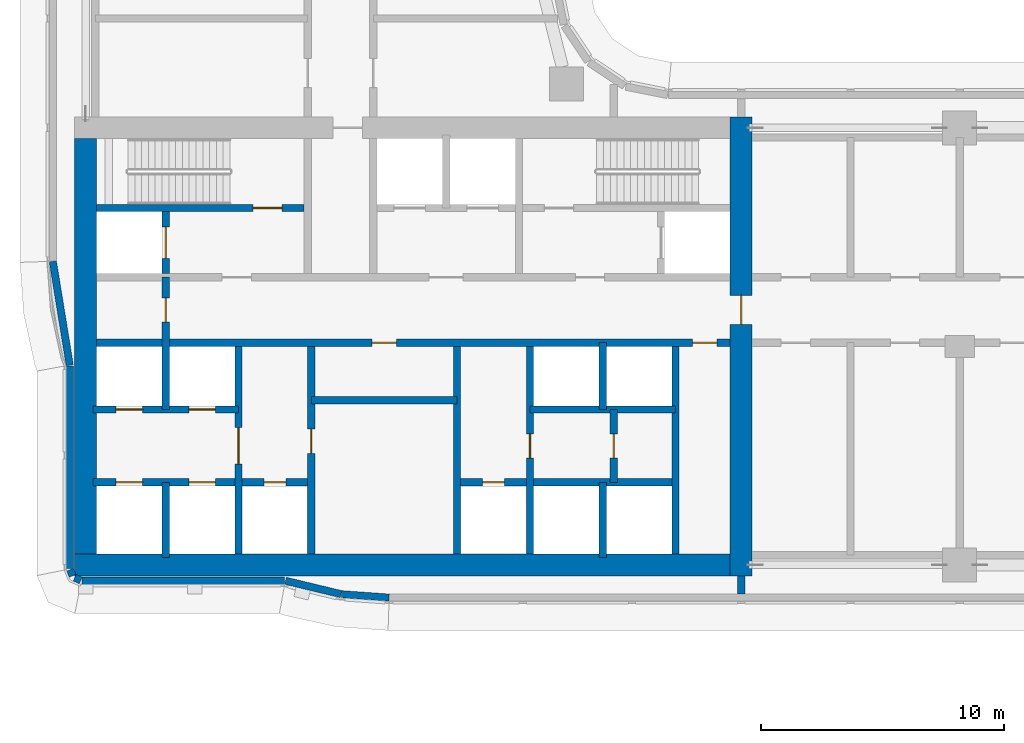
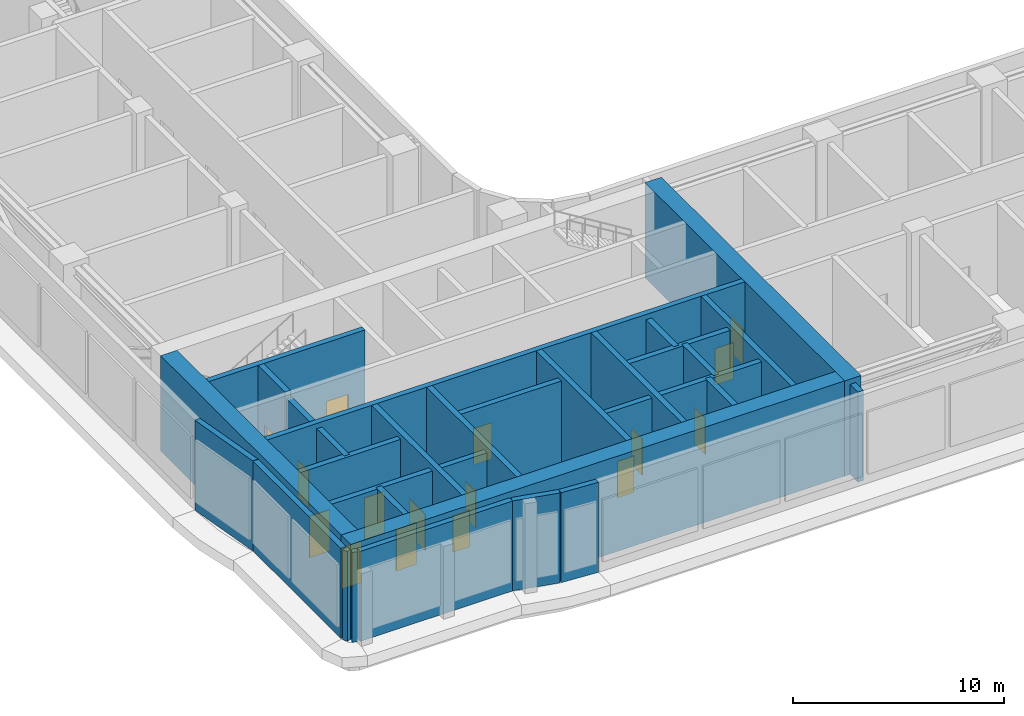
# One storey, part 3 of 23: 29 walls, 16 doors, 16 openings.
"""IFC4 building model written with IfcOpenShell, lengths in metres."""

import ifcopenshell
import ifcopenshell.guid

model = None  # the IFC model being written
_history = None  # IfcOwnerHistory: only IFC2X3 demands one
_inside = {}  # id of a spatial element -> (the spatial element, [elements in it])
_under = {}  # id of a project, library or spatial element -> (it, [spatial elements below it])
_declared = {}  # id of a project -> (the project, [libraries it declares])
_typed = {}  # id of a type object -> (the type object, [elements of that type])
_made_of = {}  # id of a material, layer set ... -> (it, [elements and type objects made of it])


def new_model(schema):
    """Start an empty IFC model of exactly this schema.

    Asked for "IFC4X3", IfcOpenShell would pick the latest addendum, in which some entities
    have other attributes; the version numbers below select the first issue.
    IFC2X3 requires an IfcOwnerHistory on every rooted entity: one is made here for all.
    """
    global model, _history
    if schema == "IFC4X3":
        model = ifcopenshell.file(schema_version=(4, 3, 0, 0))
    else:
        model = ifcopenshell.file(schema=schema)
    _inside.clear()
    _under.clear()
    _declared.clear()
    _typed.clear()
    _made_of.clear()
    _history = None
    if model.schema == "IFC2X3":
        org = make("IfcOrganization", Name="unknown")
        user = make(
            "IfcPersonAndOrganization",
            ThePerson=make("IfcPerson", FamilyName="unknown"),
            TheOrganization=org,
        )
        app = make(
            "IfcApplication",
            ApplicationDeveloper=org,
            Version="unknown",
            ApplicationFullName="unknown",
            ApplicationIdentifier="unknown",
        )
        _history = make(
            "IfcOwnerHistory",
            OwningUser=user,
            OwningApplication=app,
            ChangeAction="ADDED",
            CreationDate=0,
        )
    return model


def make(cls, **values):
    """One entity of the class cls with the attributes given. An attribute that is None is left unset."""
    return model.create_entity(
        cls, **{name: value for name, value in values.items() if value is not None}
    )


def rooted(cls, **values):
    """An entity with a GlobalId (a new one), such as an element, a storey or a relation."""
    return make(cls, GlobalId=ifcopenshell.guid.new(), OwnerHistory=_history, **values)


def si_unit(unit_type, name, prefix=None):
    """IfcSIUnit, for example si_unit("LENGTHUNIT", "METRE", prefix="MILLI")."""
    return make("IfcSIUnit", UnitType=unit_type, Prefix=prefix, Name=name)


def assignment(units):
    """IfcUnitAssignment: the units of a project."""
    return None if units is None else make("IfcUnitAssignment", Units=units)


def point(xyz):
    """IfcCartesianPoint."""
    return None if xyz is None else make("IfcCartesianPoint", Coordinates=xyz)


def direction(xyz):
    """IfcDirection."""
    return None if xyz is None else make("IfcDirection", DirectionRatios=xyz)


def frame(location, z_axis=None, x_axis=None):
    """IfcAxis2Placement3D, a coordinate frame: its origin and axes. An axis left out is left unset."""
    return make(
        "IfcAxis2Placement3D",
        Location=point(location),
        Axis=direction(z_axis),
        RefDirection=direction(x_axis),
    )


def frame_2d(location, x_axis=None):
    """IfcAxis2Placement2D, a coordinate frame in the plane: its origin and x axis."""
    return make(
        "IfcAxis2Placement2D", Location=point(location), RefDirection=direction(x_axis)
    )


def origin():
    """The frame at (0, 0, 0) with its axes left unset."""
    return frame((0.0, 0.0, 0.0))


def place(relative_to, where):
    """IfcLocalPlacement: puts the frame where relative to a parent placement (None: the world)."""
    return make(
        "IfcLocalPlacement", PlacementRelTo=relative_to, RelativePlacement=where
    )


def context(
    kind, dimensions, precision=None, world=None, true_north=None, identifier=None
):
    """IfcGeometricRepresentationContext, for example the 3D "Model" context."""
    return make(
        "IfcGeometricRepresentationContext",
        ContextIdentifier=identifier,
        ContextType=kind,
        CoordinateSpaceDimension=dimensions,
        Precision=precision,
        WorldCoordinateSystem=world,
        TrueNorth=true_north,
    )


def subcontext(parent, identifier, kind, view, scale=None):
    """IfcGeometricRepresentationSubContext, for example "Body" below "Model"."""
    return make(
        "IfcGeometricRepresentationSubContext",
        ContextIdentifier=identifier,
        ContextType=kind,
        ParentContext=parent,
        TargetScale=scale,
        TargetView=view,
    )


def project(units=None, contexts=None):
    """IfcProject with its units and contexts."""
    return rooted(
        "IfcProject",
        Name="project",
        RepresentationContexts=contexts,
        UnitsInContext=assignment(units),
    )


def spatial(cls, under=None, at=None, **own):
    """A site, building, storey or space (cls), placed at a placement, below another one or the project."""
    s = rooted(cls, ObjectPlacement=at, **own)
    if under is not None:
        _under.setdefault(under.id(), (under, []))[1].append(s)
    return s


def profile(cls, at=None, kind="AREA", **sizes):
    """A parametric profile (cls). Its sizes go by their IFC names, for example OverallWidth=200.0."""
    return make(cls, ProfileType=kind, Position=at, **sizes)


def rectangle(**sizes):
    """IfcRectangleProfileDef."""
    return profile("IfcRectangleProfileDef", **sizes)


def extrude(swept, where, along, depth):
    """IfcExtrudedAreaSolid: the profile swept, set in the frame where, extruded along a direction by depth."""
    return make(
        "IfcExtrudedAreaSolid",
        SweptArea=swept,
        Position=where,
        ExtrudedDirection=direction(along),
        Depth=depth,
    )


def shape(context_of_items, identifier, shape_type, items):
    """IfcShapeRepresentation: the items that make up one representation, for example the "Body"."""
    return make(
        "IfcShapeRepresentation",
        ContextOfItems=context_of_items,
        RepresentationIdentifier=identifier,
        RepresentationType=shape_type,
        Items=items,
    )


def material(Name=None, Category=None):
    """IfcMaterial."""
    return make("IfcMaterial", Name=Name, Category=Category)


def layer(
    of_material, thickness, ventilated=None, Name=None, Category=None, Priority=None
):
    """IfcMaterialLayer: one layer of a wall or slab, of a material (None: an air gap)."""
    return make(
        "IfcMaterialLayer",
        Material=of_material,
        LayerThickness=thickness,
        IsVentilated=ventilated,
        Name=Name,
        Category=Category,
        Priority=Priority,
    )


def layer_set(layers, Name=None):
    """IfcMaterialLayerSet."""
    return make("IfcMaterialLayerSet", MaterialLayers=layers, LayerSetName=Name)


def made_of(thing, what):
    """Note that an element or type object is made of a material, layer set ...; save() writes the relation."""
    if what is not None:
        _made_of.setdefault(what.id(), (what, []))[1].append(thing)
    return thing


def type_object(cls, material=None, **own):
    """A type object (cls), such as IfcWallType, which elements share."""
    return made_of(rooted(cls, **own), material)


def element(
    cls,
    number,
    at=None,
    inside=None,
    cuts=None,
    type_object=None,
    material=None,
    context=None,
    identifier="Body",
    shape_type=None,
    held_by="IfcProductDefinitionShape",
    body=None,
    shapes=None,
    **own,
):
    """One element of the class cls, such as IfcWall. Its Tag is "e" and its number.

    at: its placement. inside: the storey or other place that contains it. cuts: it is an
    opening in that element (IfcRelVoidsElement). A single representation is given by context,
    identifier, shape_type and body (its items); several are given by shapes. held_by: the class
    of the entity that holds the representations. save() writes the other relations.
    """
    e = rooted(cls, Tag="e%d" % number, ObjectPlacement=at, **own)
    if body is not None:
        shapes = [shape(context, identifier, shape_type, body)]
    if shapes is not None:
        e.Representation = make(held_by, Representations=shapes)
    if inside is not None:
        _inside.setdefault(inside.id(), (inside, []))[1].append(e)
    if cuts is not None:
        rooted(
            "IfcRelVoidsElement", RelatingBuildingElement=cuts, RelatedOpeningElement=e
        )
    if type_object is not None:
        _typed.setdefault(type_object.id(), (type_object, []))[1].append(e)
    return made_of(e, material)


def fill(opening, filler):
    """IfcRelFillsElement: the door or window that sits in an opening."""
    return rooted(
        "IfcRelFillsElement",
        RelatingOpeningElement=opening,
        RelatedBuildingElement=filler,
    )


def aggregate(whole, parts):
    """IfcRelAggregates: a whole, such as a stair, and the parts it consists of."""
    return rooted("IfcRelAggregates", RelatingObject=whole, RelatedObjects=parts)


def save(model, path):
    """Write the relations noted so far, then the file.

    IfcRelAggregates (storeys below a building ...), IfcRelContainedInSpatialStructure (elements
    in a storey), IfcRelDefinesByType, IfcRelAssociatesMaterial and IfcRelDeclares: one each for
    every whole, place, type object, material and project.
    """
    for whole, parts in _under.values():
        aggregate(whole, parts)
    for where, things in _inside.values():
        rooted(
            "IfcRelContainedInSpatialStructure",
            RelatedElements=things,
            RelatingStructure=where,
        )
    for kind, things in _typed.values():
        rooted("IfcRelDefinesByType", RelatedObjects=things, RelatingType=kind)
    for what, things in _made_of.values():
        rooted("IfcRelAssociatesMaterial", RelatedObjects=things, RelatingMaterial=what)
    for by, libraries in _declared.values():
        rooted("IfcRelDeclares", RelatingContext=by, RelatedDefinitions=libraries)
    model.write(path)


model = new_model("IFC4")

# Units and contexts
model_context = context("Model", 3, precision=1e-05, world=origin(), true_north=direction((0.0, 1.0)))
body_context = subcontext(model_context, "Body", "Model", "MODEL_VIEW")
ifc_project = project(units=[si_unit("LENGTHUNIT", "METRE"), si_unit("AREAUNIT", "SQUARE_METRE"), si_unit("VOLUMEUNIT", "CUBIC_METRE"), si_unit("PLANEANGLEUNIT", "RADIAN"), si_unit("MASSUNIT", "GRAM", prefix="KILO")], contexts=[model_context])

# Site, building, storey
site_placement = place(None, origin())
site = spatial("IfcSite", under=ifc_project, at=site_placement, CompositionType="ELEMENT")
building_placement = place(site_placement, origin())
building = spatial("IfcBuilding", under=site, at=building_placement, Name="Ogive Portal Towers", CompositionType="ELEMENT")
storey_placement = place(building_placement, frame((0.0, 0.0, 81.60009765625)))
storey = spatial("IfcBuildingStorey", under=building, at=storey_placement, Name="L19", CompositionType="ELEMENT", Elevation=81.60009765625)

# Wall, opening, door
ifc_material_1 = material(Name="Concrete C60/75", Category="concrete")
ifc_layer_1 = layer(ifc_material_1, 0.300048828125)
ifc_layer_set_1 = layer_set([ifc_layer_1], Name="CORE WALL 300 C60")
wall_type_1 = type_object("IfcWallType", Name="CORE WALL 300 C60", PredefinedType="SHEAR", material=ifc_layer_set_1)
wall_1_placement = place(storey_placement, frame((37.800048828125, 21.949951171875, 0.0), z_axis=(0.0, 0.0, 1.0), x_axis=(0.0, 1.0, 0.0)))
wall_1 = element("IfcWall", 1, at=wall_1_placement, inside=storey, type_object=wall_type_1, Name="Core wall X1 L19", PredefinedType="SHEAR", context=body_context, shape_type="SweptSolid", body=[
    extrude(rectangle(XDim=8.550048828125, YDim=0.300048828125, at=frame_2d((4.27490234375, 0.0))), origin(), (0.0, 0.0, 1.0), 5.5),
])
opening_1_placement = place(wall_1_placement, frame((3.699951171875, 0.0, 0.0)))
opening_1 = element("IfcOpeningElement", 2, at=opening_1_placement, cuts=wall_1, Name="Opening D06-001", PredefinedType="OPENING", context=body_context, shape_type="SweptSolid", body=[
    extrude(rectangle(XDim=1.5, YDim=2.10009765625, at=frame_2d((0.75, 1.050048828125))), frame((0.0, 0.16015625, 0.0), z_axis=(0.0, -1.0, 0.0), x_axis=(1.0, 0.0, 0.0)), (0.0, 0.0, 1.0), 0.320068359375),
])
ifc_material_2 = material(Name="Steel fire door", Category="steel")
door_type_1 = type_object("IfcDoorType", Name="DT-SWING-1500x2100-FD90S", OperationType="SINGLE_SWING_LEFT", PredefinedType="DOOR", material=ifc_material_2)
door_1_placement = place(opening_1_placement, origin())
door_1 = element("IfcDoor", 3, at=door_1_placement, inside=storey, type_object=door_type_1, Name="Door D06-001", OperationType="SINGLE_SWING_LEFT", OverallHeight=2.10009765625, OverallWidth=1.5, PredefinedType="DOOR", context=body_context, shape_type="SweptSolid", body=[
    extrude(rectangle(XDim=1.5, YDim=2.10009765625, at=frame_2d((0.75, 1.050048828125))), frame((0.0, 0.02490234375, 0.0), z_axis=(0.0, -1.0, 0.0), x_axis=(1.0, 0.0, 0.0)), (0.0, 0.0, 1.0), 0.050048828125),
])
fill(opening_1, door_1)

wall_2_placement = place(storey_placement, frame((40.800048828125, 21.949951171875, 0.0), z_axis=(0.0, 0.0, 1.0), x_axis=(0.0, 1.0, 0.0)))
wall_2 = element("IfcWall", 4, at=wall_2_placement, inside=storey, type_object=wall_type_1, Name="Core wall X2 L19", PredefinedType="SHEAR", context=body_context, shape_type="SweptSolid", body=[
    extrude(rectangle(XDim=8.550048828125, YDim=0.300048828125, at=frame_2d((4.27490234375, 0.0))), origin(), (0.0, 0.0, 1.0), 5.5),
])
opening_2_placement = place(wall_2_placement, frame((4.137939453125, 0.0, 0.0)))
opening_2 = element("IfcOpeningElement", 5, at=opening_2_placement, cuts=wall_2, Name="Opening D06-021", PredefinedType="OPENING", context=body_context, shape_type="SweptSolid", body=[
    extrude(rectangle(XDim=1.0, YDim=2.10009765625, at=frame_2d((0.5, 1.050048828125))), frame((0.0, 0.16015625, 0.0), z_axis=(0.0, -1.0, 0.0), x_axis=(1.0, 0.0, 0.0)), (0.0, 0.0, 1.0), 0.320068359375),
])
door_type_2 = type_object("IfcDoorType", Name="DT-SWING-1000x2100-FD90S", OperationType="SINGLE_SWING_LEFT", PredefinedType="DOOR", material=ifc_material_2)
door_2_placement = place(opening_2_placement, origin())
door_2 = element("IfcDoor", 6, at=door_2_placement, inside=storey, type_object=door_type_2, Name="Door D06-021", OperationType="SINGLE_SWING_RIGHT", OverallHeight=2.10009765625, OverallWidth=1.0, PredefinedType="DOOR", context=body_context, shape_type="SweptSolid", body=[
    extrude(rectangle(XDim=1.0, YDim=2.10009765625, at=frame_2d((0.5, 1.050048828125))), frame((0.0, 0.02490234375, 0.0), z_axis=(0.0, -1.0, 0.0), x_axis=(1.0, 0.0, 0.0)), (0.0, 0.0, 1.0), 0.050048828125),
])
fill(opening_2, door_2)

# Wall
wall_3_placement = place(storey_placement, frame((46.800048828125, 21.949951171875, 0.0), z_axis=(0.0, 0.0, 1.0), x_axis=(0.0, 1.0, 0.0)))
element("IfcWall", 7, at=wall_3_placement, inside=storey, type_object=wall_type_1, Name="Core wall X3 L19", PredefinedType="SHEAR", context=body_context, shape_type="SweptSolid", body=[
    extrude(rectangle(XDim=8.550048828125, YDim=0.300048828125, at=frame_2d((4.27490234375, 0.0))), origin(), (0.0, 0.0, 1.0), 5.5),
])

# Wall, opening, door
wall_4_placement = place(storey_placement, frame((49.800048828125, 21.949951171875, 0.0), z_axis=(0.0, 0.0, 1.0), x_axis=(0.0, 1.0, 0.0)))
wall_4 = element("IfcWall", 8, at=wall_4_placement, inside=storey, type_object=wall_type_1, Name="Core wall X4 L19", PredefinedType="SHEAR", context=body_context, shape_type="SweptSolid", body=[
    extrude(rectangle(XDim=8.550048828125, YDim=0.300048828125, at=frame_2d((4.27490234375, 0.0))), origin(), (0.0, 0.0, 1.0), 5.5),
])
opening_3_placement = place(wall_4_placement, frame((3.949951171875, 0.0, 0.0)))
opening_3 = element("IfcOpeningElement", 9, at=opening_3_placement, cuts=wall_4, Name="Opening D06-022", PredefinedType="OPENING", context=body_context, shape_type="SweptSolid", body=[
    extrude(rectangle(XDim=1.0, YDim=2.10009765625, at=frame_2d((0.5, 1.050048828125))), frame((0.0, 0.16015625, 0.0), z_axis=(0.0, -1.0, 0.0), x_axis=(1.0, 0.0, 0.0)), (0.0, 0.0, 1.0), 0.320068359375),
])
door_3_placement = place(opening_3_placement, origin())
door_3 = element("IfcDoor", 10, at=door_3_placement, inside=storey, type_object=door_type_2, Name="Door D06-022", OperationType="SINGLE_SWING_LEFT", OverallHeight=2.10009765625, OverallWidth=1.0, PredefinedType="DOOR", context=body_context, shape_type="SweptSolid", body=[
    extrude(rectangle(XDim=1.0, YDim=2.10009765625, at=frame_2d((0.5, 1.050048828125))), frame((0.0, 0.02490234375, 0.0), z_axis=(0.0, -1.0, 0.0), x_axis=(1.0, 0.0, 0.0)), (0.0, 0.0, 1.0), 0.050048828125),
])
fill(opening_3, door_3)

# Wall
wall_5_placement = place(storey_placement, frame((55.800048828125, 21.949951171875, 0.0), z_axis=(0.0, 0.0, 1.0), x_axis=(0.0, 1.0, 0.0)))
element("IfcWall", 11, at=wall_5_placement, inside=storey, type_object=wall_type_1, Name="Core wall X5 L19", PredefinedType="SHEAR", context=body_context, shape_type="SweptSolid", body=[
    extrude(rectangle(XDim=8.550048828125, YDim=0.300048828125, at=frame_2d((4.27490234375, 0.0))), origin(), (0.0, 0.0, 1.0), 5.5),
])

# Wall, openings, doors
wall_6_placement = place(storey_placement, frame((31.949951171875, 30.64990234375, 0.0), z_axis=(0.0, 0.0, 1.0), x_axis=(1.0, 0.0, 0.0)))
wall_6 = element("IfcWall", 12, at=wall_6_placement, inside=storey, type_object=wall_type_1, Name="Core wall Y1 L19", PredefinedType="SHEAR", context=body_context, shape_type="SweptSolid", body=[
    extrude(rectangle(XDim=26.10009765625, YDim=0.300048828125, at=frame_2d((13.050048828125, 0.0))), origin(), (0.0, 0.0, 1.0), 5.5),
])
opening_4_placement = place(wall_6_placement, frame((24.550048828125, 0.0, 0.0)))
opening_4 = element("IfcOpeningElement", 13, at=opening_4_placement, cuts=wall_6, Name="Opening D06-009", PredefinedType="OPENING", context=body_context, shape_type="SweptSolid", body=[
    extrude(rectangle(XDim=1.0, YDim=2.10009765625, at=frame_2d((0.5, 1.050048828125))), frame((0.0, 0.16015625, 0.0), z_axis=(0.0, -1.0, 0.0), x_axis=(1.0, 0.0, 0.0)), (0.0, 0.0, 1.0), 0.320068359375),
])
opening_5_placement = place(wall_6_placement, frame((11.35009765625, 0.0, 0.0)))
opening_5 = element("IfcOpeningElement", 14, at=opening_5_placement, cuts=wall_6, Name="Opening D06-020", PredefinedType="OPENING", context=body_context, shape_type="SweptSolid", body=[
    extrude(rectangle(XDim=1.0, YDim=2.10009765625, at=frame_2d((0.5, 1.050048828125))), frame((0.0, 0.16015625, 0.0), z_axis=(0.0, -1.0, 0.0), x_axis=(1.0, 0.0, 0.0)), (0.0, 0.0, 1.0), 0.320068359375),
])
door_4_placement = place(opening_4_placement, origin())
door_4 = element("IfcDoor", 15, at=door_4_placement, inside=storey, type_object=door_type_2, Name="Door D06-009", OperationType="SINGLE_SWING_LEFT", OverallHeight=2.10009765625, OverallWidth=1.0, PredefinedType="DOOR", context=body_context, shape_type="SweptSolid", body=[
    extrude(rectangle(XDim=1.0, YDim=2.10009765625, at=frame_2d((0.5, 1.050048828125))), frame((0.0, 0.02490234375, 0.0), z_axis=(0.0, -1.0, 0.0), x_axis=(1.0, 0.0, 0.0)), (0.0, 0.0, 1.0), 0.050048828125),
])
fill(opening_4, door_4)
door_5_placement = place(opening_5_placement, origin())
door_5 = element("IfcDoor", 16, at=door_5_placement, inside=storey, type_object=door_type_2, Name="Riser access door D06-020", OperationType="SINGLE_SWING_LEFT", OverallHeight=2.10009765625, OverallWidth=1.0, PredefinedType="DOOR", context=body_context, shape_type="SweptSolid", body=[
    extrude(rectangle(XDim=1.0, YDim=2.10009765625, at=frame_2d((0.5, 1.050048828125))), frame((0.0, 0.02490234375, 0.0), z_axis=(0.0, -1.0, 0.0), x_axis=(1.0, 0.0, 0.0)), (0.0, 0.0, 1.0), 0.050048828125),
])
fill(opening_5, door_5)

# Wall, opening, door
wall_7_placement = place(storey_placement, frame((31.949951171875, 36.199951171875, 0.0), z_axis=(0.0, 0.0, 1.0), x_axis=(1.0, 0.0, 0.0)))
wall_7 = element("IfcWall", 17, at=wall_7_placement, inside=storey, type_object=wall_type_1, Name="Core wall Y3a L19", PredefinedType="SHEAR", context=body_context, shape_type="SweptSolid", body=[
    extrude(rectangle(XDim=8.550048828125, YDim=0.300048828125, at=frame_2d((4.27490234375, 0.0))), origin(), (0.0, 0.0, 1.0), 5.5),
])
opening_6_placement = place(wall_7_placement, frame((6.449951171875, 0.0, 0.0)))
opening_6 = element("IfcOpeningElement", 18, at=opening_6_placement, cuts=wall_7, Name="Opening D06-005", PredefinedType="OPENING", context=body_context, shape_type="SweptSolid", body=[
    extrude(rectangle(XDim=1.199951171875, YDim=2.10009765625, at=frame_2d((0.60009765625, 1.050048828125))), frame((0.0, 0.16015625, 0.0), z_axis=(0.0, -1.0, 0.0), x_axis=(1.0, 0.0, 0.0)), (0.0, 0.0, 1.0), 0.320068359375),
])
door_type_3 = type_object("IfcDoorType", Name="DT-SWING-1200x2100-FD90S", OperationType="SINGLE_SWING_LEFT", PredefinedType="DOOR", material=ifc_material_2)
door_6_placement = place(opening_6_placement, origin())
door_6 = element("IfcDoor", 19, at=door_6_placement, inside=storey, type_object=door_type_3, Name="Door D06-005", OperationType="SINGLE_SWING_RIGHT", OverallHeight=2.10009765625, OverallWidth=1.199951171875, PredefinedType="DOOR", context=body_context, shape_type="SweptSolid", body=[
    extrude(rectangle(XDim=1.199951171875, YDim=2.10009765625, at=frame_2d((0.60009765625, 1.050048828125))), frame((0.0, 0.02490234375, 0.0), z_axis=(0.0, -1.0, 0.0), x_axis=(1.0, 0.0, 0.0)), (0.0, 0.0, 1.0), 0.050048828125),
])
fill(opening_6, door_6)

wall_8_placement = place(storey_placement, frame((34.800048828125, 33.5, 0.0), z_axis=(0.0, 0.0, 1.0), x_axis=(0.0, 1.0, 0.0)))
wall_8 = element("IfcWall", 20, at=wall_8_placement, inside=storey, type_object=wall_type_1, Name="Core wall X8 L19", PredefinedType="SHEAR", context=body_context, shape_type="SweptSolid", body=[
    extrude(rectangle(XDim=2.550048828125, YDim=0.300048828125, at=frame_2d((1.27490234375, 0.0))), origin(), (0.0, 0.0, 1.0), 5.5),
])
opening_7_placement = place(wall_8_placement, frame((0.625, 0.0, 0.0)))
opening_7 = element("IfcOpeningElement", 21, at=opening_7_placement, cuts=wall_8, Name="Opening D06-018", PredefinedType="OPENING", context=body_context, shape_type="SweptSolid", body=[
    extrude(rectangle(XDim=1.300048828125, YDim=2.39990234375, at=frame_2d((0.64990234375, 1.199951171875))), frame((0.0, 0.16015625, 0.0), z_axis=(0.0, -1.0, 0.0), x_axis=(1.0, 0.0, 0.0)), (0.0, 0.0, 1.0), 0.320068359375),
])
ifc_material_3 = material(Name="Stainless steel", Category="steel")
door_type_4 = type_object("IfcDoorType", Name="DT-LD-1300x2400", OperationType="SLIDING_TO_LEFT", PredefinedType="DOOR", material=ifc_material_3)
door_7_placement = place(opening_7_placement, origin())
door_7 = element("IfcDoor", 22, at=door_7_placement, inside=storey, type_object=door_type_4, Name="Door D06-018", OperationType="SLIDING_TO_LEFT", OverallHeight=2.39990234375, OverallWidth=1.300048828125, PredefinedType="DOOR", context=body_context, shape_type="SweptSolid", body=[
    extrude(rectangle(XDim=1.300048828125, YDim=2.39990234375, at=frame_2d((0.64990234375, 1.199951171875))), frame((0.0, 0.02490234375, 0.0), z_axis=(0.0, -1.0, 0.0), x_axis=(1.0, 0.0, 0.0)), (0.0, 0.0, 1.0), 0.050048828125),
])
fill(opening_7, door_7)

# Walls
ifc_layer_2 = layer(ifc_material_1, 0.89990234375)
ifc_layer_set_2 = layer_set([ifc_layer_2], Name="CORE WALL 900 C60")
wall_type_2 = type_object("IfcWallType", Name="CORE WALL 900 C60", PredefinedType="SHEAR", material=ifc_layer_set_2)
wall_9_placement = place(storey_placement, frame((31.5, 21.949951171875, 0.0), z_axis=(0.0, 0.0, 1.0), x_axis=(0.0, 1.0, 0.0)))
element("IfcWall", 23, at=wall_9_placement, inside=storey, type_object=wall_type_2, Name="Core wall W L19", PredefinedType="SHEAR", context=body_context, shape_type="SweptSolid", body=[
    extrude(rectangle(XDim=17.10009765625, YDim=0.89990234375, at=frame_2d((8.550048828125, 0.0))), origin(), (0.0, 0.0, 1.0), 5.5),
])
wall_10_placement = place(storey_placement, frame((31.050048828125, 21.5, 0.0), z_axis=(0.0, 0.0, 1.0), x_axis=(1.0, 0.0, 0.0)))
element("IfcWall", 24, at=wall_10_placement, inside=storey, type_object=wall_type_2, Name="Core wall S L19", PredefinedType="SHEAR", context=body_context, shape_type="SweptSolid", body=[
    extrude(rectangle(XDim=27.0, YDim=0.89990234375, at=frame_2d((13.5, 0.0))), origin(), (0.0, 0.0, 1.0), 5.5),
])

# Wall, opening, door
wall_11_placement = place(storey_placement, frame((58.5, 21.050048828125, 0.0), z_axis=(0.0, 0.0, 1.0), x_axis=(0.0, 1.0, 0.0)))
wall_11 = element("IfcWall", 25, at=wall_11_placement, inside=storey, type_object=wall_type_2, Name="Core wall E L19", PredefinedType="SHEAR", context=body_context, shape_type="SweptSolid", body=[
    extrude(rectangle(XDim=18.89990234375, YDim=0.89990234375, at=frame_2d((9.449951171875, 0.0))), origin(), (0.0, 0.0, 1.0), 5.5),
])
opening_8_placement = place(wall_11_placement, frame((10.35009765625, 0.0, 0.0)))
opening_8 = element("IfcOpeningElement", 26, at=opening_8_placement, cuts=wall_11, Name="Opening D06-010", PredefinedType="OPENING", context=body_context, shape_type="SweptSolid", body=[
    extrude(rectangle(XDim=1.199951171875, YDim=2.10009765625, at=frame_2d((0.60009765625, 1.050048828125))), frame((0.0, 0.4599609375, 0.0), z_axis=(0.0, -1.0, 0.0), x_axis=(1.0, 0.0, 0.0)), (0.0, 0.0, 1.0), 0.919921875),
])
door_8_placement = place(opening_8_placement, origin())
door_8 = element("IfcDoor", 27, at=door_8_placement, inside=storey, type_object=door_type_3, Name="Door D06-010", OperationType="SINGLE_SWING_LEFT", OverallHeight=2.10009765625, OverallWidth=1.199951171875, PredefinedType="DOOR", context=body_context, shape_type="SweptSolid", body=[
    extrude(rectangle(XDim=1.199951171875, YDim=2.10009765625, at=frame_2d((0.60009765625, 1.050048828125))), frame((0.0, 0.02490234375, 0.0), z_axis=(0.0, -1.0, 0.0), x_axis=(1.0, 0.0, 0.0)), (0.0, 0.0, 1.0), 0.050048828125),
])
fill(opening_8, door_8)

# Walls
ifc_material_4 = material(Name="Limestone cladding on lightweight block wall", Category="masonry")
ifc_layer_3 = layer(ifc_material_4, 0.300048828125)
ifc_layer_set_3 = layer_set([ifc_layer_3], Name="EXTERNAL WALL 300 STONE")
wall_type_3 = type_object("IfcWallType", Name="EXTERNAL WALL 300 STONE", PredefinedType="SOLIDWALL", material=ifc_layer_set_3)
wall_12_placement = place(storey_placement, frame((30.85009765625, 29.699462890625, 0.0), z_axis=(0.0, 0.0, 1.0), x_axis=(0.0, -1.0, 0.0)))
element("IfcWall", 28, at=wall_12_placement, inside=storey, type_object=wall_type_3, Name="A:L19:f00:r0:wall", PredefinedType="SOLIDWALL", context=body_context, shape_type="SweptSolid", body=[
    extrude(rectangle(XDim=8.33984375, YDim=0.300048828125, at=frame_2d((4.169921875, 0.0))), origin(), (0.0, 0.0, 1.0), 5.199951171875),
])
for number, where, z_axis, x_axis, name in (
    (29, (30.861328125, 21.30224609375, 0.0), (0.0, 0.0, 1.0), (0.38297812142, -0.923757413239, 0.0), "A:L19:f01:r0:wall"),
    (30, (31.0478515625, 20.966796875, 0.0), (0.0, 0.0, 1.0), (0.923757413239, -0.38297812142, 0.0), "A:L19:f02:r0:wall"),
):
    element("IfcWall", number, at=place(storey_placement, frame(where, z_axis=z_axis, x_axis=x_axis)), inside=storey, type_object=wall_type_3, Name=name, PredefinedType="SOLIDWALL", context=body_context, shape_type="SweptSolid", body=[
        extrude(rectangle(XDim=0.275390625, YDim=0.300048828125, at=frame_2d((0.1376953125, 0.0))), origin(), (0.0, 0.0, 1.0), 5.199951171875),
    ])
wall_13_placement = place(storey_placement, frame((31.359619140625, 20.85009765625, 0.0), z_axis=(0.0, 0.0, 1.0), x_axis=(1.0, 0.0, 0.0)))
element("IfcWall", 31, at=wall_13_placement, inside=storey, type_object=wall_type_3, Name="A:L19:f03:r0:wall", PredefinedType="SOLIDWALL", context=body_context, shape_type="SweptSolid", body=[
    extrude(rectangle(XDim=8.33984375, YDim=0.300048828125, at=frame_2d((4.169921875, 0.0))), origin(), (0.0, 0.0, 1.0), 5.199951171875),
])
wall_14_placement = place(storey_placement, frame((39.734619140625, 20.845703125, 0.0), z_axis=(0.0, 0.0, 1.0), x_axis=(0.97206095595, -0.234728562212, 0.0)))
element("IfcWall", 32, at=wall_14_placement, inside=storey, type_object=wall_type_3, Name="A:L19:f04:r0:wall", PredefinedType="SOLIDWALL", context=body_context, shape_type="SweptSolid", body=[
    extrude(rectangle(XDim=2.349609375, YDim=0.300048828125, at=frame_2d((1.1748046875, 0.0))), origin(), (0.0, 0.0, 1.0), 5.199951171875),
])
wall_15_placement = place(storey_placement, frame((42.043212890625, 20.290283203125, 0.0), z_axis=(0.0, 0.0, 1.0), x_axis=(0.997454275884, -0.071308958214, 0.0)))
element("IfcWall", 33, at=wall_15_placement, inside=storey, type_object=wall_type_3, Name="A:L19:f05:r0:wall", PredefinedType="SOLIDWALL", context=body_context, shape_type="SweptSolid", body=[
    extrude(rectangle(XDim=1.961669921875, YDim=0.300048828125, at=frame_2d((0.98095703125, 0.0))), origin(), (0.0, 0.0, 1.0), 5.199951171875),
])
wall_16_placement = place(storey_placement, frame((30.15185546875, 34.000244140625, 0.0), z_axis=(0.0, 0.0, 1.0), x_axis=(0.160697303067, -0.987003736967, 0.0)))
element("IfcWall", 34, at=wall_16_placement, inside=storey, type_object=wall_type_3, Name="A:L19:f25:r0:wall", PredefinedType="SOLIDWALL", context=body_context, shape_type="SweptSolid", body=[
    extrude(rectangle(XDim=4.3330078125, YDim=0.300048828125, at=frame_2d((2.16650390625, 0.0))), origin(), (0.0, 0.0, 1.0), 5.199951171875),
])
ifc_material_5 = material(Name="Gypsum board partition on steel studs", Category="steel")
ifc_layer_4 = layer(ifc_material_5, 0.300048828125)
ifc_layer_set_4 = layer_set([ifc_layer_4], Name="WT-PART-300")
wall_type_4 = type_object("IfcWallType", Name="WT-PART-300", PredefinedType="PARTITIONING", material=ifc_layer_set_4)
wall_17_placement = place(storey_placement, frame((40.800048828125, 28.277099609375, 0.0), z_axis=(0.0, 0.0, 1.0), x_axis=(1.0, 0.0, 0.0)))
element("IfcWall", 35, at=wall_17_placement, inside=storey, type_object=wall_type_4, Name="Wall pw:005:L19", PredefinedType="PARTITIONING", context=body_context, shape_type="SweptSolid", body=[
    extrude(rectangle(XDim=6.0, YDim=0.300048828125, at=frame_2d((3.0, 0.0))), origin(), (0.0, 0.0, 1.0), 5.199951171875),
])
ifc_layer_5 = layer(ifc_material_5, 0.300048828125)
ifc_layer_set_5 = layer_set([ifc_layer_5], Name="WT-PART-300-EI 120")
wall_type_5 = type_object("IfcWallType", Name="WT-PART-300-EI 120", PredefinedType="PARTITIONING", material=ifc_layer_set_5)
wall_18_placement = place(storey_placement, frame((58.5, 21.050048828125, 0.0), z_axis=(0.0, 0.0, 1.0), x_axis=(0.0, -1.0, 0.0)))
element("IfcWall", 36, at=wall_18_placement, inside=storey, type_object=wall_type_5, Name="Wall L19:wc01", PredefinedType="PARTITIONING", context=body_context, shape_type="SweptSolid", body=[
    extrude(rectangle(XDim=0.739990234375, YDim=0.300048828125, at=frame_2d((0.3701171875, 0.0))), origin(), (0.0, 0.0, 1.0), 5.199951171875),
])

# Wall, openings, doors
ifc_material_6 = material(Name="Concrete C40/50", Category="concrete")
ifc_layer_6 = layer(ifc_material_6, 0.300048828125)
ifc_layer_set_6 = layer_set([ifc_layer_6], Name="WT-SHAFT-300")
wall_type_6 = type_object("IfcWallType", Name="WT-SHAFT-300", PredefinedType="SOLIDWALL", material=ifc_layer_set_6)
wall_19_placement = place(storey_placement, frame((31.800048828125, 24.89990234375, 0.0), z_axis=(0.0, 0.0, 1.0), x_axis=(1.0, 0.0, 0.0)))
wall_19 = element("IfcWall", 37, at=wall_19_placement, inside=storey, type_object=wall_type_6, Name="Wall pw:001:L19", PredefinedType="SOLIDWALL", context=body_context, shape_type="SweptSolid", body=[
    extrude(rectangle(XDim=9.0, YDim=0.300048828125, at=frame_2d((4.5, 0.0))), origin(), (0.0, 0.0, 1.0), 5.199951171875),
])
opening_9_placement = place(wall_19_placement, frame((7.050048828125, 0.0, 0.0)))
opening_9 = element("IfcOpeningElement", 38, at=opening_9_placement, cuts=wall_19, Name="Opening D06-007", PredefinedType="OPENING", context=body_context, shape_type="SweptSolid", body=[
    extrude(rectangle(XDim=0.89990234375, YDim=2.10009765625, at=frame_2d((0.449951171875, 1.050048828125))), frame((0.0, 0.16015625, 0.0), z_axis=(0.0, -1.0, 0.0), x_axis=(1.0, 0.0, 0.0)), (0.0, 0.0, 1.0), 0.320068359375),
])
opening_10_placement = place(wall_19_placement, frame((0.949951171875, 0.0, 0.0)))
opening_10 = element("IfcOpeningElement", 39, at=opening_10_placement, cuts=wall_19, Name="Opening D06-012", PredefinedType="OPENING", context=body_context, shape_type="SweptSolid", body=[
    extrude(rectangle(XDim=1.10009765625, YDim=2.39990234375, at=frame_2d((0.550048828125, 1.199951171875))), frame((0.0, 0.16015625, 0.0), z_axis=(0.0, -1.0, 0.0), x_axis=(1.0, 0.0, 0.0)), (0.0, 0.0, 1.0), 0.320068359375),
])
opening_11_placement = place(wall_19_placement, frame((3.949951171875, 0.0, 0.0)))
opening_11 = element("IfcOpeningElement", 40, at=opening_11_placement, cuts=wall_19, Name="Opening D06-013", PredefinedType="OPENING", context=body_context, shape_type="SweptSolid", body=[
    extrude(rectangle(XDim=1.10009765625, YDim=2.39990234375, at=frame_2d((0.550048828125, 1.199951171875))), frame((0.0, 0.16015625, 0.0), z_axis=(0.0, -1.0, 0.0), x_axis=(1.0, 0.0, 0.0)), (0.0, 0.0, 1.0), 0.320068359375),
])
door_type_5 = type_object("IfcDoorType", Name="DT-LD-1100x2400", OperationType="SLIDING_TO_LEFT", PredefinedType="DOOR", material=ifc_material_3)
door_9_placement = place(opening_10_placement, origin())
door_9 = element("IfcDoor", 41, at=door_9_placement, inside=storey, type_object=door_type_5, Name="Door D06-012", OperationType="SLIDING_TO_LEFT", OverallHeight=2.39990234375, OverallWidth=1.10009765625, PredefinedType="DOOR", context=body_context, shape_type="SweptSolid", body=[
    extrude(rectangle(XDim=1.10009765625, YDim=2.39990234375, at=frame_2d((0.550048828125, 1.199951171875))), frame((0.0, 0.02490234375, 0.0), z_axis=(0.0, -1.0, 0.0), x_axis=(1.0, 0.0, 0.0)), (0.0, 0.0, 1.0), 0.050048828125),
])
fill(opening_10, door_9)
door_10_placement = place(opening_11_placement, origin())
door_10 = element("IfcDoor", 42, at=door_10_placement, inside=storey, type_object=door_type_5, Name="Door D06-013", OperationType="SLIDING_TO_LEFT", OverallHeight=2.39990234375, OverallWidth=1.10009765625, PredefinedType="DOOR", context=body_context, shape_type="SweptSolid", body=[
    extrude(rectangle(XDim=1.10009765625, YDim=2.39990234375, at=frame_2d((0.550048828125, 1.199951171875))), frame((0.0, 0.02490234375, 0.0), z_axis=(0.0, -1.0, 0.0), x_axis=(1.0, 0.0, 0.0)), (0.0, 0.0, 1.0), 0.050048828125),
])
fill(opening_11, door_10)
door_type_6 = type_object("IfcDoorType", Name="DT-SWING-900x2100-FD90S", OperationType="SINGLE_SWING_LEFT", PredefinedType="DOOR", material=ifc_material_2)
door_11_placement = place(opening_9_placement, origin())
door_11 = element("IfcDoor", 43, at=door_11_placement, inside=storey, type_object=door_type_6, Name="Riser access door D06-007", OperationType="SINGLE_SWING_LEFT", OverallHeight=2.10009765625, OverallWidth=0.89990234375, PredefinedType="DOOR", context=body_context, shape_type="SweptSolid", body=[
    extrude(rectangle(XDim=0.89990234375, YDim=2.10009765625, at=frame_2d((0.449951171875, 1.050048828125))), frame((0.0, 0.02490234375, 0.0), z_axis=(0.0, -1.0, 0.0), x_axis=(1.0, 0.0, 0.0)), (0.0, 0.0, 1.0), 0.050048828125),
])
fill(opening_9, door_11)

# Wall, opening, door
wall_20_placement = place(storey_placement, frame((46.800048828125, 24.89990234375, 0.0), z_axis=(0.0, 0.0, 1.0), x_axis=(1.0, 0.0, 0.0)))
wall_20 = element("IfcWall", 44, at=wall_20_placement, inside=storey, type_object=wall_type_6, Name="Wall pw:002:L19", PredefinedType="SOLIDWALL", context=body_context, shape_type="SweptSolid", body=[
    extrude(rectangle(XDim=9.0, YDim=0.300048828125, at=frame_2d((4.5, 0.0))), origin(), (0.0, 0.0, 1.0), 5.199951171875),
])
opening_12_placement = place(wall_20_placement, frame((1.050048828125, 0.0, 0.0)))
opening_12 = element("IfcOpeningElement", 45, at=opening_12_placement, cuts=wall_20, Name="Opening D06-008", PredefinedType="OPENING", context=body_context, shape_type="SweptSolid", body=[
    extrude(rectangle(XDim=0.89990234375, YDim=2.10009765625, at=frame_2d((0.449951171875, 1.050048828125))), frame((0.0, 0.16015625, 0.0), z_axis=(0.0, -1.0, 0.0), x_axis=(1.0, 0.0, 0.0)), (0.0, 0.0, 1.0), 0.320068359375),
])
door_12_placement = place(opening_12_placement, origin())
door_12 = element("IfcDoor", 46, at=door_12_placement, inside=storey, type_object=door_type_6, Name="Riser access door D06-008", OperationType="SINGLE_SWING_RIGHT", OverallHeight=2.10009765625, OverallWidth=0.89990234375, PredefinedType="DOOR", context=body_context, shape_type="SweptSolid", body=[
    extrude(rectangle(XDim=0.89990234375, YDim=2.10009765625, at=frame_2d((0.449951171875, 1.050048828125))), frame((0.0, 0.02490234375, 0.0), z_axis=(0.0, -1.0, 0.0), x_axis=(1.0, 0.0, 0.0)), (0.0, 0.0, 1.0), 0.050048828125),
])
fill(opening_12, door_12)

# Wall, openings, doors
wall_21_placement = place(storey_placement, frame((31.800048828125, 27.89990234375, 0.0), z_axis=(0.0, 0.0, 1.0), x_axis=(1.0, 0.0, 0.0)))
wall_21 = element("IfcWall", 47, at=wall_21_placement, inside=storey, type_object=wall_type_6, Name="Wall pw:003:L19", PredefinedType="SOLIDWALL", context=body_context, shape_type="SweptSolid", body=[
    extrude(rectangle(XDim=6.0, YDim=0.300048828125, at=frame_2d((3.0, 0.0))), origin(), (0.0, 0.0, 1.0), 5.199951171875),
])
opening_13_placement = place(wall_21_placement, frame((0.949951171875, 0.0, 0.0)))
opening_13 = element("IfcOpeningElement", 48, at=opening_13_placement, cuts=wall_21, Name="Opening D06-014", PredefinedType="OPENING", context=body_context, shape_type="SweptSolid", body=[
    extrude(rectangle(XDim=1.10009765625, YDim=2.39990234375, at=frame_2d((0.550048828125, 1.199951171875))), frame((0.0, 0.16015625, 0.0), z_axis=(0.0, -1.0, 0.0), x_axis=(1.0, 0.0, 0.0)), (0.0, 0.0, 1.0), 0.320068359375),
])
opening_14_placement = place(wall_21_placement, frame((3.949951171875, 0.0, 0.0)))
opening_14 = element("IfcOpeningElement", 49, at=opening_14_placement, cuts=wall_21, Name="Opening D06-015", PredefinedType="OPENING", context=body_context, shape_type="SweptSolid", body=[
    extrude(rectangle(XDim=1.10009765625, YDim=2.39990234375, at=frame_2d((0.550048828125, 1.199951171875))), frame((0.0, 0.16015625, 0.0), z_axis=(0.0, -1.0, 0.0), x_axis=(1.0, 0.0, 0.0)), (0.0, 0.0, 1.0), 0.320068359375),
])
door_13_placement = place(opening_13_placement, origin())
door_13 = element("IfcDoor", 50, at=door_13_placement, inside=storey, type_object=door_type_5, Name="Door D06-014", OperationType="SLIDING_TO_LEFT", OverallHeight=2.39990234375, OverallWidth=1.10009765625, PredefinedType="DOOR", context=body_context, shape_type="SweptSolid", body=[
    extrude(rectangle(XDim=1.10009765625, YDim=2.39990234375, at=frame_2d((0.550048828125, 1.199951171875))), frame((0.0, 0.02490234375, 0.0), z_axis=(0.0, -1.0, 0.0), x_axis=(1.0, 0.0, 0.0)), (0.0, 0.0, 1.0), 0.050048828125),
])
fill(opening_13, door_13)
door_14_placement = place(opening_14_placement, origin())
door_14 = element("IfcDoor", 51, at=door_14_placement, inside=storey, type_object=door_type_5, Name="Door D06-015", OperationType="SLIDING_TO_LEFT", OverallHeight=2.39990234375, OverallWidth=1.10009765625, PredefinedType="DOOR", context=body_context, shape_type="SweptSolid", body=[
    extrude(rectangle(XDim=1.10009765625, YDim=2.39990234375, at=frame_2d((0.550048828125, 1.199951171875))), frame((0.0, 0.02490234375, 0.0), z_axis=(0.0, -1.0, 0.0), x_axis=(1.0, 0.0, 0.0)), (0.0, 0.0, 1.0), 0.050048828125),
])
fill(opening_14, door_14)

# Walls
wall_22_placement = place(storey_placement, frame((49.800048828125, 27.89990234375, 0.0), z_axis=(0.0, 0.0, 1.0), x_axis=(1.0, 0.0, 0.0)))
element("IfcWall", 52, at=wall_22_placement, inside=storey, type_object=wall_type_6, Name="Wall pw:004:L19", PredefinedType="SOLIDWALL", context=body_context, shape_type="SweptSolid", body=[
    extrude(rectangle(XDim=6.0, YDim=0.300048828125, at=frame_2d((3.0, 0.0))), origin(), (0.0, 0.0, 1.0), 5.199951171875),
])
wall_23_placement = place(storey_placement, frame((34.800048828125, 21.800048828125, 0.0), z_axis=(0.0, 0.0, 1.0), x_axis=(0.0, 1.0, 0.0)))
element("IfcWall", 53, at=wall_23_placement, inside=storey, type_object=wall_type_6, Name="Wall pw:006:L19", PredefinedType="SOLIDWALL", context=body_context, shape_type="SweptSolid", body=[
    extrude(rectangle(XDim=3.099853515625, YDim=0.300048828125, at=frame_2d((1.5498046875, 0.0))), origin(), (0.0, 0.0, 1.0), 5.199951171875),
])

# Wall, opening, door
wall_24_placement = place(storey_placement, frame((34.800048828125, 27.89990234375, 0.0), z_axis=(0.0, 0.0, 1.0), x_axis=(0.0, 1.0, 0.0)))
wall_24 = element("IfcWall", 54, at=wall_24_placement, inside=storey, type_object=wall_type_6, Name="Wall pw:007:L19", PredefinedType="SOLIDWALL", context=body_context, shape_type="SweptSolid", body=[
    extrude(rectangle(XDim=5.4501953125, YDim=0.300048828125, at=frame_2d((2.72509765625, 0.0))), origin(), (0.0, 0.0, 1.0), 5.199951171875),
])
opening_15_placement = place(wall_24_placement, frame((3.60009765625, 0.0, 0.0)))
opening_15 = element("IfcOpeningElement", 55, at=opening_15_placement, cuts=wall_24, Name="Opening D06-024", PredefinedType="OPENING", context=body_context, shape_type="SweptSolid", body=[
    extrude(rectangle(XDim=1.0, YDim=2.10009765625, at=frame_2d((0.5, 1.050048828125))), frame((0.0, 0.16015625, 0.0), z_axis=(0.0, -1.0, 0.0), x_axis=(1.0, 0.0, 0.0)), (0.0, 0.0, 1.0), 0.320068359375),
])
door_15_placement = place(opening_15_placement, origin())
door_15 = element("IfcDoor", 56, at=door_15_placement, inside=storey, type_object=door_type_2, Name="Door D06-024", OperationType="SINGLE_SWING_LEFT", OverallHeight=2.10009765625, OverallWidth=1.0, PredefinedType="DOOR", context=body_context, shape_type="SweptSolid", body=[
    extrude(rectangle(XDim=1.0, YDim=2.10009765625, at=frame_2d((0.5, 1.050048828125))), frame((0.0, 0.02490234375, 0.0), z_axis=(0.0, -1.0, 0.0), x_axis=(1.0, 0.0, 0.0)), (0.0, 0.0, 1.0), 0.050048828125),
])
fill(opening_15, door_15)

# Walls
wall_25_placement = place(storey_placement, frame((52.800048828125, 21.800048828125, 0.0), z_axis=(0.0, 0.0, 1.0), x_axis=(0.0, 1.0, 0.0)))
element("IfcWall", 57, at=wall_25_placement, inside=storey, type_object=wall_type_6, Name="Wall pw:009:L19", PredefinedType="SOLIDWALL", context=body_context, shape_type="SweptSolid", body=[
    extrude(rectangle(XDim=3.099853515625, YDim=0.300048828125, at=frame_2d((1.5498046875, 0.0))), origin(), (0.0, 0.0, 1.0), 5.199951171875),
])
wall_26_placement = place(storey_placement, frame((52.800048828125, 27.89990234375, 0.0), z_axis=(0.0, 0.0, 1.0), x_axis=(0.0, 1.0, 0.0)))
element("IfcWall", 58, at=wall_26_placement, inside=storey, type_object=wall_type_6, Name="Wall pw:010:L19", PredefinedType="SOLIDWALL", context=body_context, shape_type="SweptSolid", body=[
    extrude(rectangle(XDim=2.75, YDim=0.300048828125, at=frame_2d((1.375, 0.0))), origin(), (0.0, 0.0, 1.0), 5.199951171875),
])

# Wall, opening, door
wall_27_placement = place(storey_placement, frame((53.25, 24.89990234375, 0.0), z_axis=(0.0, 0.0, 1.0), x_axis=(0.0, 1.0, 0.0)))
wall_27 = element("IfcWall", 59, at=wall_27_placement, inside=storey, type_object=wall_type_6, Name="Wall pw:011:L19", PredefinedType="SOLIDWALL", context=body_context, shape_type="SweptSolid", body=[
    extrude(rectangle(XDim=3.0, YDim=0.300048828125, at=frame_2d((1.5, 0.0))), origin(), (0.0, 0.0, 1.0), 5.199951171875),
])
opening_16_placement = place(wall_27_placement, frame((1.0, 0.0, 0.0)))
opening_16 = element("IfcOpeningElement", 60, at=opening_16_placement, cuts=wall_27, Name="Opening D06-023", PredefinedType="OPENING", context=body_context, shape_type="SweptSolid", body=[
    extrude(rectangle(XDim=1.0, YDim=2.10009765625, at=frame_2d((0.5, 1.050048828125))), frame((0.0, 0.16015625, 0.0), z_axis=(0.0, -1.0, 0.0), x_axis=(1.0, 0.0, 0.0)), (0.0, 0.0, 1.0), 0.320068359375),
])
door_16_placement = place(opening_16_placement, origin())
door_16 = element("IfcDoor", 61, at=door_16_placement, inside=storey, type_object=door_type_2, Name="Door D06-023", OperationType="SINGLE_SWING_RIGHT", OverallHeight=2.10009765625, OverallWidth=1.0, PredefinedType="DOOR", context=body_context, shape_type="SweptSolid", body=[
    extrude(rectangle(XDim=1.0, YDim=2.10009765625, at=frame_2d((0.5, 1.050048828125))), frame((0.0, 0.02490234375, 0.0), z_axis=(0.0, -1.0, 0.0), x_axis=(1.0, 0.0, 0.0)), (0.0, 0.0, 1.0), 0.050048828125),
])
fill(opening_16, door_16)

save(model, "model.ifc")
